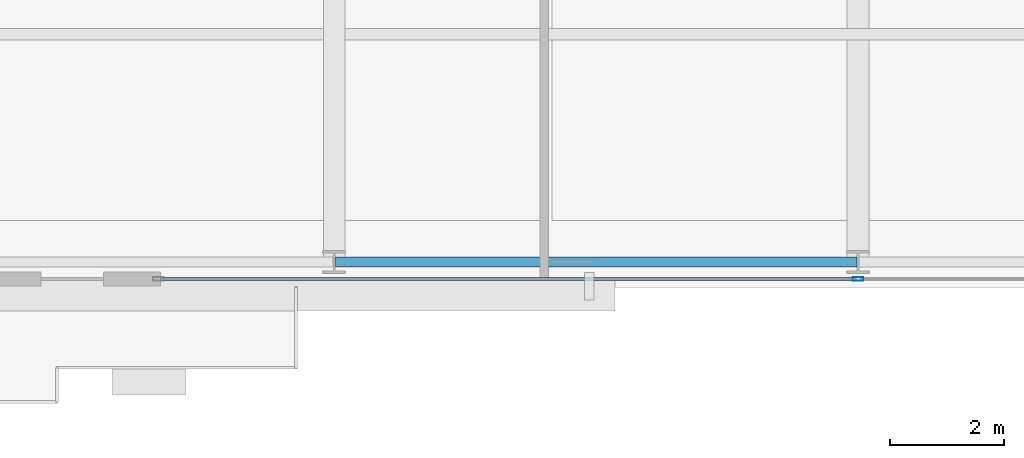
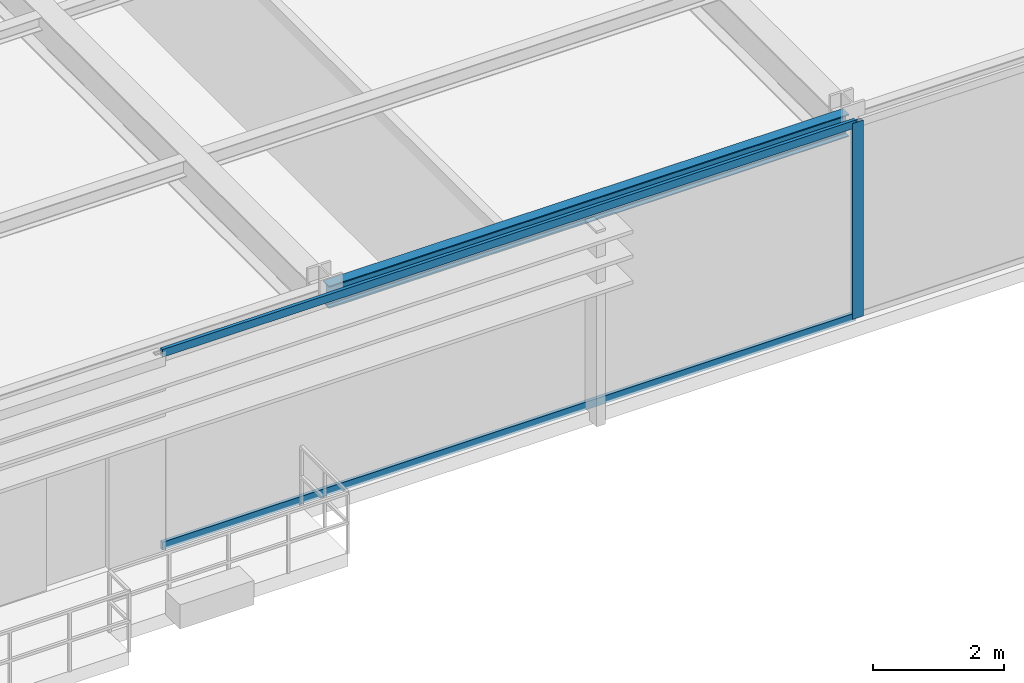
# One storey, part 6 of 31: 3 members, 1 beam, 1 element without a shape of its own.
"""IFC4 building model written with IfcOpenShell, lengths in metres."""

from ifc_helpers import new_model, si_unit, direction, frame, origin, origin_2d, place, context, subcontext, project, spatial, hollow_rectangle, i_section, extrude, source, transform, mapped, material, layer, layer_set, material_profile, profile_set, type_object, type_shapes, element, aggregate, save


model = new_model("IFC4")

# Units and contexts
model_context = context("Model", 3, precision=1e-05, world=origin(), true_north=direction((0.0, 1.0)))
body_context = subcontext(model_context, "Body", "Model", "MODEL_VIEW")
ifc_project = project(units=[si_unit("LENGTHUNIT", "METRE"), si_unit("AREAUNIT", "SQUARE_METRE"), si_unit("VOLUMEUNIT", "CUBIC_METRE"), si_unit("PLANEANGLEUNIT", "RADIAN"), si_unit("MASSUNIT", "GRAM", prefix="KILO")], contexts=[model_context])

# Site, building, storey
site_placement = place(None, origin())
site = spatial("IfcSite", under=ifc_project, at=site_placement, CompositionType="ELEMENT")
building_placement = place(site_placement, origin())
building = spatial("IfcBuilding", under=site, at=building_placement, Name="Varnel Quay Broadcast Tower", CompositionType="ELEMENT")
storey_placement = place(building_placement, frame((0.0, 0.0, 51.0)))
storey = spatial("IfcBuildingStorey", under=building, at=storey_placement, Name="L11", CompositionType="ELEMENT", Elevation=51.0)

# Beam
ifc_material_1 = material(Name="Structural Steel CSA G40.21 350W", Category="steel")
ifc_material_profile_1 = material_profile(ifc_material_1, i_section(OverallWidth=0.180908203125, OverallDepth=0.4169921875, WebThickness=0.010986328125, FlangeThickness=0.018310546875, FilletRadius=0.011962890625, at=origin_2d()), Name="W410X85")
ifc_profile_set_1 = profile_set([ifc_material_profile_1], Name="Structural Steel CSA G40.21 350W")
beam_type = type_object("IfcBeamType", Name="Beam_W410X85", PredefinedType="SPANDREL", material=ifc_profile_set_1)
shared_shape_1 = source(origin(), body_context, "Body", "SweptSolid", [
    extrude(i_section(OverallWidth=0.180908203125, OverallDepth=0.4169921875, WebThickness=0.010986328125, FlangeThickness=0.018310546875, FilletRadius=0.011962890625, at=origin_2d()), origin(), (0.0, 0.0, 1.0), 9.159912109375),
])
type_shapes(beam_type, [shared_shape_1])
beam_placement = place(storey_placement, frame((24.820068359375, 1.64990234375, 3.44140625), z_axis=(1.0, 0.0, 0.0), x_axis=(0.0, 1.0, 0.0)))
element("IfcBeam", 1, at=beam_placement, inside=storey, type_object=beam_type, Name="L11 South Spandrel TC-S2-TC-S3", PredefinedType="SPANDREL", context=body_context, shape_type="MappedRepresentation", body=[
    mapped(shared_shape_1, transform((0.0, 0.0, 0.0), x_axis=(1.0, 0.0, 0.0), y_axis=(0.0, 1.0, 0.0), z_axis=(0.0, 0.0, 1.0), scale=1.0)),
])

# Curtain wall, members
ifc_material_2 = material(Name="Anodised Bronze Aluminium 6063-T6", Category="aluminium")
ifc_layer = layer(ifc_material_2, 0.18994140625, Name="Anodised Bronze Aluminium 6063-T6")
ifc_layer_set = layer_set([ifc_layer], Name="Anodised Bronze Aluminium 6063-T6")
curtain_wall_type = type_object("IfcCurtainWallType", Name="CW_LowerTower", PredefinedType="NOTDEFINED", material=ifc_layer_set)
curtain_wall_placement = place(storey_placement, origin())
curtain_wall = element("IfcCurtainWall", 2, at=curtain_wall_placement, inside=storey, type_object=curtain_wall_type, Name="L11 South Unitised Curtain Wall 2", PredefinedType="NOTDEFINED")
ifc_material_profile_2 = material_profile(ifc_material_2, hollow_rectangle(XDim=0.070068359375, YDim=0.18994140625, WallThickness=0.00390625, at=origin_2d()), Name="ALU70X190X4")
ifc_profile_set_2 = profile_set([ifc_material_profile_2], Name="Anodised Bronze Aluminium 6063-T6")
member_type_1 = type_object("IfcMemberType", Name="Mull_CWS-02", PredefinedType="MULLION", material=ifc_profile_set_2)
shared_shape_2 = source(origin(), body_context, "Body", "SweptSolid", [
    extrude(hollow_rectangle(XDim=0.070068359375, YDim=0.18994140625, WallThickness=0.00390625, at=origin_2d()), origin(), (0.0, 0.0, 1.0), 3.64990234375),
])
type_shapes(member_type_1, [shared_shape_2])
member_1_placement = place(storey_placement, frame((34.0, 1.35009765625, 0.0), z_axis=(0.0, 0.0, 1.0), x_axis=(0.0, 1.0, 0.0)))
member_1 = element("IfcMember", 3, at=member_1_placement, type_object=member_type_1, Name="CWS-02 mullion 2", PredefinedType="MULLION", context=body_context, shape_type="MappedRepresentation", body=[
    mapped(shared_shape_2, transform((0.0, 0.0, 0.0), x_axis=(1.0, 0.0, 0.0), y_axis=(0.0, 1.0, 0.0), z_axis=(0.0, 0.0, 1.0), scale=1.0)),
])
ifc_material_profile_3 = material_profile(ifc_material_2, hollow_rectangle(XDim=0.06005859375, YDim=0.14501953125, WallThickness=0.00341796875, at=origin_2d()), Name="ALU60X145X3.5")
ifc_profile_set_3 = profile_set([ifc_material_profile_3], Name="Anodised Bronze Aluminium 6063-T6")
member_type_2 = type_object("IfcMemberType", Name="Tran_CWS-02", PredefinedType="USERDEFINED", material=ifc_profile_set_3)
shared_shape_3 = source(origin(), body_context, "Body", "SweptSolid", [
    extrude(hollow_rectangle(XDim=0.06005859375, YDim=0.14501953125, WallThickness=0.00341796875, at=origin_2d()), origin(), (0.0, 0.0, 1.0), 12.215087890625),
])
type_shapes(member_type_2, [shared_shape_3])
member_2_placement = place(storey_placement, frame((21.75, 1.35009765625, 0.030029296875), z_axis=(1.0, 0.0, 0.0), x_axis=(0.0, 1.0, 0.0)))
member_2 = element("IfcMember", 4, at=member_2_placement, type_object=member_type_2, Name="CWS-02 transom 1.1", ObjectType="TRANSOM", PredefinedType="USERDEFINED", context=body_context, shape_type="MappedRepresentation", body=[
    mapped(shared_shape_3, transform((0.0, 0.0, 0.0), x_axis=(1.0, 0.0, 0.0), y_axis=(0.0, 1.0, 0.0), z_axis=(0.0, 0.0, 1.0), scale=1.0)),
])
member_3_placement = place(storey_placement, frame((21.75, 1.35009765625, 3.6201171875), z_axis=(1.0, 0.0, 0.0), x_axis=(0.0, 1.0, 0.0)))
member_3 = element("IfcMember", 5, at=member_3_placement, type_object=member_type_2, Name="CWS-02 transom 1.2", ObjectType="TRANSOM", PredefinedType="USERDEFINED", context=body_context, shape_type="MappedRepresentation", body=[
    mapped(shared_shape_3, transform((0.0, 0.0, 0.0), x_axis=(1.0, 0.0, 0.0), y_axis=(0.0, 1.0, 0.0), z_axis=(0.0, 0.0, 1.0), scale=1.0)),
])
aggregate(curtain_wall, [member_1, member_2, member_3])

save(model, "model.ifc")
